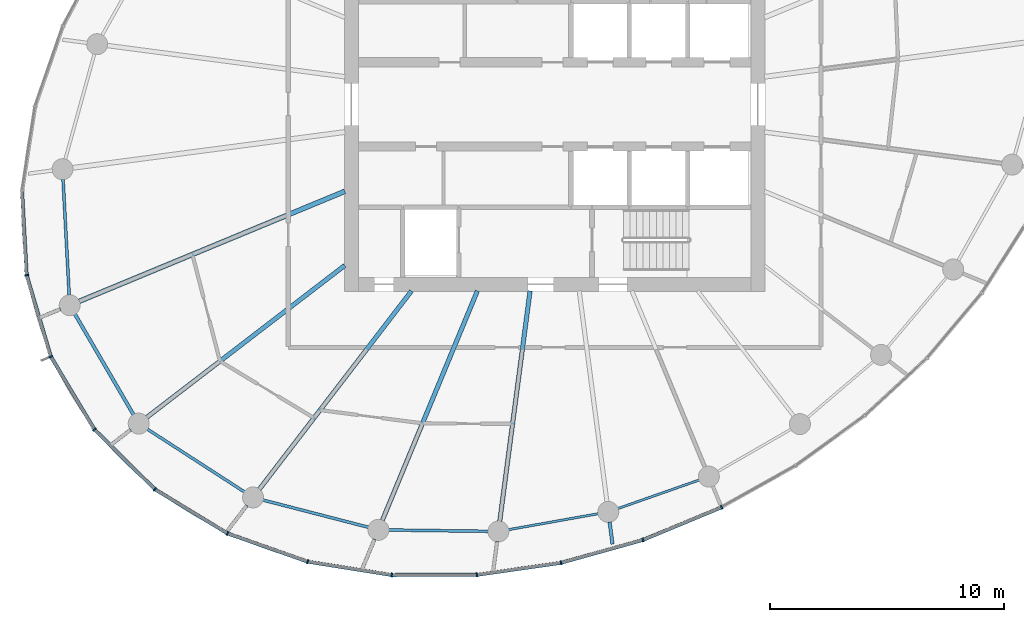
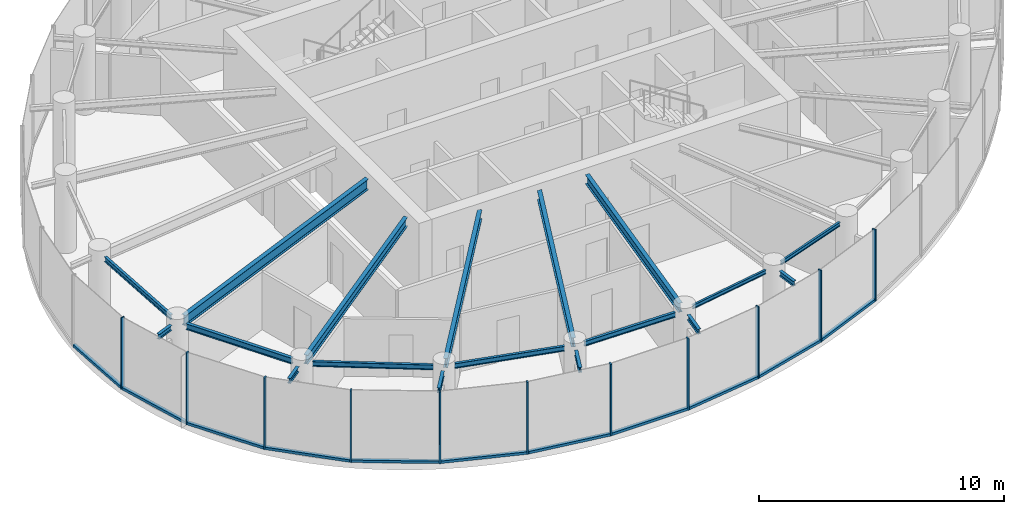
# One storey, part 2 of 14: 22 members, 18 beams, 3 elements without a shape of their own.
"""IFC4 building model written with IfcOpenShell, lengths in metres."""

from ifc_helpers import new_model, si_unit, direction, frame, origin, origin_2d, place, context, subcontext, project, spatial, rectangle, i_section, extrude, source, transform, mapped, material, layer, layer_set, material_profile, profile_set, type_object, element, aggregate, save


model = new_model("IFC4")

# Units and contexts
model_context = context("Model", 3, precision=1e-05, world=origin(), true_north=direction((0.0, 1.0)))
body_context = subcontext(model_context, "Body", "Model", "MODEL_VIEW")
ifc_project = project(units=[si_unit("LENGTHUNIT", "METRE"), si_unit("AREAUNIT", "SQUARE_METRE"), si_unit("VOLUMEUNIT", "CUBIC_METRE"), si_unit("PLANEANGLEUNIT", "RADIAN"), si_unit("MASSUNIT", "GRAM", prefix="KILO")], contexts=[model_context])

# Site, building, storey
site_placement = place(None, origin())
site = spatial("IfcSite", under=ifc_project, at=site_placement, CompositionType="ELEMENT")
building_placement = place(site_placement, origin())
building = spatial("IfcBuilding", under=site, at=building_placement, Name="Spindrift Exchange Tower", CompositionType="ELEMENT")
storey_placement = place(building_placement, frame((0.0, 0.0, 207.199951171875)))
storey = spatial("IfcBuildingStorey", under=building, at=storey_placement, Name="L50", CompositionType="ELEMENT", Elevation=207.199951171875)

# Beams
ifc_material_1 = material(Name="Steel Grade 300", Category="steel")
ifc_material_profile_1 = material_profile(ifc_material_1, i_section(OverallWidth=0.14599609375, OverallDepth=0.251953125, WebThickness=0.006103515625, FlangeThickness=0.008544921875, FilletRadius=0.011962890625, at=origin_2d()), Name="250UB31.4")
ifc_profile_set_1 = profile_set([ifc_material_profile_1], Name="Steel Grade 300")
beam_type_1 = type_object("IfcBeamType", Name="Cantilever Beam 250UB31.4 Steel Grade 300", PredefinedType="BEAM", material=ifc_profile_set_1)
shared_shape_1 = source(origin(), body_context, "Body", "SweptSolid", [
    extrude(i_section(OverallWidth=0.14599609375, OverallDepth=0.251953125, WebThickness=0.006103515625, FlangeThickness=0.008544921875, FilletRadius=0.011962890625, at=origin_2d()), origin(), (0.0, 0.0, 1.0), 0.95166015625),
])
beam_1_placement = place(storey_placement, frame((33.856689453125, 34.078125, 3.4541015625), z_axis=(-0.793300680677, -0.608830050209, 0.0), x_axis=(0.608830050209, -0.793300680677, 0.0)))
element("IfcBeam", 1, at=beam_1_placement, inside=storey, type_object=beam_type_1, Name="L50 cantilever beam R15T", PredefinedType="BEAM", context=body_context, shape_type="MappedRepresentation", body=[
    mapped(shared_shape_1, transform((0.0, 0.0, 0.0), scale=1.0)),
])
shared_shape_2 = source(origin(), body_context, "Body", "SweptSolid", [
    extrude(i_section(OverallWidth=0.14599609375, OverallDepth=0.251953125, WebThickness=0.006103515625, FlangeThickness=0.008544921875, FilletRadius=0.011962890625, at=origin_2d()), origin(), (0.0, 0.0, 1.0), 0.859619140625),
])
beam_2_placement = place(storey_placement, frame((30.849609375, 39.2392578125, 3.4541015625), z_axis=(-0.923923380362, -0.382577557131, 0.0), x_axis=(0.382577557131, -0.923923380362, 0.0)))
element("IfcBeam", 2, at=beam_2_placement, inside=storey, type_object=beam_type_1, Name="L50 cantilever beam R14T", PredefinedType="BEAM", context=body_context, shape_type="MappedRepresentation", body=[
    mapped(shared_shape_2, transform((0.0, 0.0, 0.0), scale=1.0)),
])
ifc_material_profile_2 = material_profile(ifc_material_1, i_section(OverallWidth=0.208984375, OverallDepth=0.528076171875, WebThickness=0.009521484375, FlangeThickness=0.01318359375, FilletRadius=0.013916015625, at=origin_2d()), Name="530UB82.0")
ifc_profile_set_2 = profile_set([ifc_material_profile_2], Name="Steel Grade 300")
beam_type_2 = type_object("IfcBeamType", Name="Floor Beam 530UB82.0 Steel Grade 300", PredefinedType="BEAM", material=ifc_profile_set_2)
shared_shape_3 = source(origin(), body_context, "Body", "SweptSolid", [
    extrude(i_section(OverallWidth=0.208984375, OverallDepth=0.528076171875, WebThickness=0.009521484375, FlangeThickness=0.01318359375, FilletRadius=0.013916015625, at=origin_2d()), origin(), (0.0, 0.0, 1.0), 12.3115234375),
])
beam_3_placement = place(storey_placement, frame((43.0185546875, 44.27978515625, 3.316162109375), z_axis=(-0.923878099838, -0.382686891126, 0.0), x_axis=(0.382686891126, -0.923878099838, 0.0)))
element("IfcBeam", 3, at=beam_3_placement, inside=storey, type_object=beam_type_2, Name="L50 radial beam R14A", PredefinedType="BEAM", context=body_context, shape_type="MappedRepresentation", body=[
    mapped(shared_shape_3, transform((0.0, 0.0, 0.0), scale=1.0)),
])
ifc_material_profile_3 = material_profile(ifc_material_1, i_section(OverallWidth=0.18994140625, OverallDepth=0.4541015625, WebThickness=0.008544921875, FlangeThickness=0.0126953125, FilletRadius=0.013916015625, at=origin_2d()), Name="460UB67.1")
ifc_profile_set_3 = profile_set([ifc_material_profile_3], Name="Steel Grade 300")
beam_type_3 = type_object("IfcBeamType", Name="Floor Beam 460UB67.1 Steel Grade 300", PredefinedType="BEAM", material=ifc_profile_set_3)
shared_shape_4 = source(origin(), body_context, "Body", "SweptSolid", [
    extrude(i_section(OverallWidth=0.18994140625, OverallDepth=0.4541015625, WebThickness=0.008544921875, FlangeThickness=0.0126953125, FilletRadius=0.013916015625, at=origin_2d()), origin(), (0.0, 0.0, 1.0), 10.684814453125),
])
beam_4_placement = place(storey_placement, frame((43.015869140625, 41.106201171875, 3.35302734375), z_axis=(-0.793357316898, -0.608756246559, 0.0), x_axis=(0.608756246559, -0.793357316898, 0.0)))
element("IfcBeam", 4, at=beam_4_placement, inside=storey, type_object=beam_type_3, Name="L50 radial beam R15A", PredefinedType="BEAM", context=body_context, shape_type="MappedRepresentation", body=[
    mapped(shared_shape_4, transform((0.0, 0.0, 0.0), scale=1.0)),
])
shared_shape_5 = source(origin(), body_context, "Body", "SweptSolid", [
    extrude(i_section(OverallWidth=0.18994140625, OverallDepth=0.4541015625, WebThickness=0.008544921875, FlangeThickness=0.0126953125, FilletRadius=0.013916015625, at=origin_2d()), origin(), (0.0, 0.0, 1.0), 10.711181640625),
])
beam_5_placement = place(storey_placement, frame((45.87353515625, 40.015869140625, 3.35302734375), z_axis=(-0.608756401092, -0.793357198322, 0.0), x_axis=(0.793357198322, -0.608756401092, 0.0)))
element("IfcBeam", 5, at=beam_5_placement, inside=storey, type_object=beam_type_3, Name="L50 radial beam R16A", PredefinedType="BEAM", context=body_context, shape_type="MappedRepresentation", body=[
    mapped(shared_shape_5, transform((0.0, 0.0, 0.0), scale=1.0)),
])
shared_shape_6 = source(origin(), body_context, "Body", "SweptSolid", [
    extrude(i_section(OverallWidth=0.18994140625, OverallDepth=0.4541015625, WebThickness=0.008544921875, FlangeThickness=0.0126953125, FilletRadius=0.013916015625, at=origin_2d()), origin(), (0.0, 0.0, 1.0), 10.64111328125),
])
beam_6_placement = place(storey_placement, frame((48.69384765625, 40.0185546875, 3.35302734375), z_axis=(-0.382672627597, -0.923884007919, 0.0), x_axis=(0.923884007919, -0.382672627597, 0.0)))
element("IfcBeam", 6, at=beam_6_placement, inside=storey, type_object=beam_type_3, Name="L50 radial beam R17A", PredefinedType="BEAM", context=body_context, shape_type="MappedRepresentation", body=[
    mapped(shared_shape_6, transform((0.0, 0.0, 0.0), scale=1.0)),
])
shared_shape_7 = source(origin(), body_context, "Body", "SweptSolid", [
    extrude(i_section(OverallWidth=0.18994140625, OverallDepth=0.4541015625, WebThickness=0.008544921875, FlangeThickness=0.0126953125, FilletRadius=0.013916015625, at=origin_2d()), origin(), (0.0, 0.0, 1.0), 9.95703125),
])
beam_7_placement = place(storey_placement, frame((50.949462890625, 40.019775390625, 3.35302734375), z_axis=(-0.130541406635, -0.991442858239, 0.0), x_axis=(0.991442858239, -0.130541406635, 0.0)))
element("IfcBeam", 7, at=beam_7_placement, inside=storey, type_object=beam_type_3, Name="L50 radial beam R18A", PredefinedType="BEAM", context=body_context, shape_type="MappedRepresentation", body=[
    mapped(shared_shape_7, transform((0.0, 0.0, 0.0), scale=1.0)),
])
ifc_material_profile_4 = material_profile(ifc_material_1, i_section(OverallWidth=0.1240234375, OverallDepth=0.248046875, WebThickness=0.0048828125, FlangeThickness=0.008056640625, FilletRadius=0.011962890625, at=origin_2d()), Name="250UB25.7")
ifc_profile_set_4 = profile_set([ifc_material_profile_4], Name="Steel Grade 300")
beam_type_4 = type_object("IfcBeamType", Name="Edge Beam 250UB25.7 Steel Grade 300", PredefinedType="SPANDREL", material=ifc_profile_set_4)
shared_shape_8 = source(origin(), body_context, "Body", "SweptSolid", [
    extrude(i_section(OverallWidth=0.1240234375, OverallDepth=0.248046875, WebThickness=0.0048828125, FlangeThickness=0.008056640625, FilletRadius=0.011962890625, at=origin_2d()), origin(), (0.0, 0.0, 1.0), 4.971435546875),
])
beam_8_placement = place(storey_placement, frame((30.96044921875, 44.797607421875, 3.4560546875), z_axis=(0.053038255124, -0.998592481192, 0.0), x_axis=(0.998592481192, 0.053038255124, 0.0)))
element("IfcBeam", 8, at=beam_8_placement, inside=storey, type_object=beam_type_4, Name="L50 edge beam E13", PredefinedType="SPANDREL", context=body_context, shape_type="MappedRepresentation", body=[
    mapped(shared_shape_8, transform((0.0, 0.0, 0.0), scale=1.0)),
])
ifc_material_profile_5 = material_profile(ifc_material_1, i_section(OverallWidth=0.14892578125, OverallDepth=0.298095703125, WebThickness=0.005615234375, FlangeThickness=0.008056640625, FilletRadius=0.012939453125, at=origin_2d()), Name="310UB32.0")
ifc_profile_set_5 = profile_set([ifc_material_profile_5], Name="Steel Grade 300")
beam_type_5 = type_object("IfcBeamType", Name="Edge Beam 310UB32.0 Steel Grade 300", PredefinedType="SPANDREL", material=ifc_profile_set_5)
shared_shape_9 = source(origin(), body_context, "Body", "SweptSolid", [
    extrude(i_section(OverallWidth=0.14892578125, OverallDepth=0.298095703125, WebThickness=0.005615234375, FlangeThickness=0.008056640625, FilletRadius=0.012939453125, at=origin_2d()), origin(), (0.0, 0.0, 1.0), 5.0009765625),
])
beam_9_placement = place(storey_placement, frame((31.46337890625, 39.0322265625, 3.43115234375), z_axis=(0.503512812094, -0.863987759205, 0.0), x_axis=(0.863987759205, 0.503512812094, 0.0)))
element("IfcBeam", 9, at=beam_9_placement, inside=storey, type_object=beam_type_5, Name="L50 edge beam E14", PredefinedType="SPANDREL", context=body_context, shape_type="MappedRepresentation", body=[
    mapped(shared_shape_9, transform((0.0, 0.0, 0.0), scale=1.0)),
])
shared_shape_10 = source(origin(), body_context, "Body", "SweptSolid", [
    extrude(i_section(OverallWidth=0.1240234375, OverallDepth=0.248046875, WebThickness=0.0048828125, FlangeThickness=0.008056640625, FilletRadius=0.011962890625, at=origin_2d()), origin(), (0.0, 0.0, 1.0), 4.966552734375),
])
beam_10_placement = place(storey_placement, frame((34.55908203125, 34.106689453125, 3.4560546875), z_axis=(0.839802198579, -0.54289250065, 0.0), x_axis=(0.54289250065, 0.839802198579, 0.0)))
element("IfcBeam", 10, at=beam_10_placement, inside=storey, type_object=beam_type_4, Name="L50 edge beam E15", PredefinedType="SPANDREL", context=body_context, shape_type="MappedRepresentation", body=[
    mapped(shared_shape_10, transform((0.0, 0.0, 0.0), scale=1.0)),
])
shared_shape_11 = source(origin(), body_context, "Body", "SweptSolid", [
    extrude(i_section(OverallWidth=0.1240234375, OverallDepth=0.248046875, WebThickness=0.0048828125, FlangeThickness=0.008056640625, FilletRadius=0.011962890625, at=origin_2d()), origin(), (0.0, 0.0, 1.0), 4.682373046875),
])
beam_11_placement = place(storey_placement, frame((39.507568359375, 31.0693359375, 3.4560546875), z_axis=(0.968201586176, -0.250171318352, 0.0), x_axis=(0.250171318352, 0.968201586176, 0.0)))
element("IfcBeam", 11, at=beam_11_placement, inside=storey, type_object=beam_type_4, Name="L50 edge beam E16", PredefinedType="SPANDREL", context=body_context, shape_type="MappedRepresentation", body=[
    mapped(shared_shape_11, transform((0.0, 0.0, 0.0), scale=1.0)),
])
shared_shape_12 = source(origin(), body_context, "Body", "SweptSolid", [
    extrude(i_section(OverallWidth=0.1240234375, OverallDepth=0.248046875, WebThickness=0.0048828125, FlangeThickness=0.008056640625, FilletRadius=0.011962890625, at=origin_2d()), origin(), (0.0, 0.0, 1.0), 4.27685546875),
])
beam_12_placement = place(storey_placement, frame((44.88720703125, 29.78466796875, 3.4560546875), z_axis=(0.999910013527, -0.013415097807, 0.0), x_axis=(0.013415097807, 0.999910013527, 0.0)))
element("IfcBeam", 12, at=beam_12_placement, inside=storey, type_object=beam_type_4, Name="L50 edge beam E17", PredefinedType="SPANDREL", context=body_context, shape_type="MappedRepresentation", body=[
    mapped(shared_shape_12, transform((0.0, 0.0, 0.0), scale=1.0)),
])
ifc_material_profile_6 = material_profile(ifc_material_1, i_section(OverallWidth=0.09912109375, OverallDepth=0.197998046875, WebThickness=0.00439453125, FlangeThickness=0.007080078125, FilletRadius=0.010986328125, at=origin_2d()), Name="200UB18.2")
ifc_profile_set_6 = profile_set([ifc_material_profile_6], Name="Steel Grade 300")
beam_type_6 = type_object("IfcBeamType", Name="Edge Beam 200UB18.2 Steel Grade 300", PredefinedType="SPANDREL", material=ifc_profile_set_6)
shared_shape_13 = source(origin(), body_context, "Body", "SweptSolid", [
    extrude(i_section(OverallWidth=0.09912109375, OverallDepth=0.197998046875, WebThickness=0.00439453125, FlangeThickness=0.007080078125, FilletRadius=0.010986328125, at=origin_2d()), origin(), (0.0, 0.0, 1.0), 3.916259765625),
])
beam_13_placement = place(storey_placement, frame((50.01708984375, 29.796875, 3.48095703125), z_axis=(0.984558687682, 0.175054821441, 0.0), x_axis=(-0.175054821441, 0.984558687682, 0.0)))
element("IfcBeam", 13, at=beam_13_placement, inside=storey, type_object=beam_type_6, Name="L50 edge beam E18", PredefinedType="SPANDREL", context=body_context, shape_type="MappedRepresentation", body=[
    mapped(shared_shape_13, transform((0.0, 0.0, 0.0), scale=1.0)),
])
shared_shape_14 = source(origin(), body_context, "Body", "SweptSolid", [
    extrude(i_section(OverallWidth=0.09912109375, OverallDepth=0.197998046875, WebThickness=0.00439453125, FlangeThickness=0.007080078125, FilletRadius=0.010986328125, at=origin_2d()), origin(), (0.0, 0.0, 1.0), 3.700439453125),
])
beam_14_placement = place(storey_placement, frame((54.701904296875, 30.699951171875, 3.48095703125), z_axis=(0.943515334916, 0.331328858957, 0.0), x_axis=(-0.331328858957, 0.943515334916, 0.0)))
element("IfcBeam", 14, at=beam_14_placement, inside=storey, type_object=beam_type_6, Name="L50 edge beam E19", PredefinedType="SPANDREL", context=body_context, shape_type="MappedRepresentation", body=[
    mapped(shared_shape_14, transform((0.0, 0.0, 0.0), scale=1.0)),
])
shared_shape_15 = source(origin(), body_context, "Body", "SweptSolid", [
    extrude(i_section(OverallWidth=0.14599609375, OverallDepth=0.251953125, WebThickness=0.006103515625, FlangeThickness=0.008544921875, FilletRadius=0.011962890625, at=origin_2d()), origin(), (0.0, 0.0, 1.0), 1.241455078125),
])
beam_15_placement = place(storey_placement, frame((38.829345703125, 30.835693359375, 3.4541015625), z_axis=(-0.608712274702, -0.793391055298, 0.0), x_axis=(0.793391055298, -0.608712274702, 0.0)))
element("IfcBeam", 15, at=beam_15_placement, inside=storey, type_object=beam_type_1, Name="L50 cantilever beam R16T", PredefinedType="BEAM", context=body_context, shape_type="MappedRepresentation", body=[
    mapped(shared_shape_15, transform((0.0, 0.0, 0.0), scale=1.0)),
])
shared_shape_16 = source(origin(), body_context, "Body", "SweptSolid", [
    extrude(i_section(OverallWidth=0.14599609375, OverallDepth=0.251953125, WebThickness=0.006103515625, FlangeThickness=0.008544921875, FilletRadius=0.011962890625, at=origin_2d()), origin(), (0.0, 0.0, 1.0), 1.282958984375),
])
beam_16_placement = place(storey_placement, frame((44.292724609375, 29.39306640625, 3.4541015625), z_axis=(-0.382682320503, -0.923879993059, 0.0), x_axis=(0.923879993059, -0.382682320503, 0.0)))
element("IfcBeam", 16, at=beam_16_placement, inside=storey, type_object=beam_type_1, Name="L50 cantilever beam R17T", PredefinedType="BEAM", context=body_context, shape_type="MappedRepresentation", body=[
    mapped(shared_shape_16, transform((0.0, 0.0, 0.0), scale=1.0)),
])
shared_shape_17 = source(origin(), body_context, "Body", "SweptSolid", [
    extrude(i_section(OverallWidth=0.14599609375, OverallDepth=0.251953125, WebThickness=0.006103515625, FlangeThickness=0.008544921875, FilletRadius=0.011962890625, at=origin_2d()), origin(), (0.0, 0.0, 1.0), 1.15380859375),
])
beam_17_placement = place(storey_placement, frame((49.53759765625, 29.29541015625, 3.4541015625), z_axis=(-0.130542080409, -0.991442769525, 0.0), x_axis=(0.991442769525, -0.130542080409, 0.0)))
element("IfcBeam", 17, at=beam_17_placement, inside=storey, type_object=beam_type_1, Name="L50 cantilever beam R18T", PredefinedType="BEAM", context=body_context, shape_type="MappedRepresentation", body=[
    mapped(shared_shape_17, transform((0.0, 0.0, 0.0), scale=1.0)),
])
shared_shape_18 = source(origin(), body_context, "Body", "SweptSolid", [
    extrude(i_section(OverallWidth=0.14599609375, OverallDepth=0.251953125, WebThickness=0.006103515625, FlangeThickness=0.008544921875, FilletRadius=0.011962890625, at=origin_2d()), origin(), (0.0, 0.0, 1.0), 0.9619140625),
])
beam_18_placement = place(storey_placement, frame((54.3525390625, 30.131103515625, 3.4541015625), z_axis=(0.130467644579, -0.991452567558, 0.0), x_axis=(0.991452567558, 0.130467644579, 0.0)))
element("IfcBeam", 18, at=beam_18_placement, inside=storey, type_object=beam_type_1, Name="L50 cantilever beam R19T", PredefinedType="BEAM", context=body_context, shape_type="MappedRepresentation", body=[
    mapped(shared_shape_18, transform((0.0, 0.0, 0.0), scale=1.0)),
])

# Curtain wall, members
ifc_material_2 = material(Name="Fritted laminated glass with bronze frame", Category="glass")
ifc_layer = layer(ifc_material_2, 0.169921875)
ifc_layer_set = layer_set([ifc_layer], Name="ZONE 4 BRONZE FRITTED WALL")
curtain_wall_type = type_object("IfcCurtainWallType", Name="ZONE 4 BRONZE FRITTED WALL", PredefinedType="NOTDEFINED", material=ifc_layer_set)
curtain_wall_1_placement = place(storey_placement, origin())
curtain_wall_1 = element("IfcCurtainWall", 19, at=curtain_wall_1_placement, inside=storey, type_object=curtain_wall_type, Name="L50 Zone 4 Bronze Fritted Wall run 5", PredefinedType="NOTDEFINED")
ifc_material_3 = material(Name="Bronze anodised aluminium", Category="aluminium")
ifc_material_profile_7 = material_profile(ifc_material_3, rectangle(XDim=0.14990234375, YDim=0.125, at=origin_2d()), Name="ZONE 4 BRONZE FRITTED WALL TRANSOM 150X125")
ifc_profile_set_7 = profile_set([ifc_material_profile_7], Name="Bronze anodised aluminium")
member_type_1 = type_object("IfcMemberType", Name="ZONE 4 BRONZE FRITTED WALL TRANSOM 150X125", PredefinedType="USERDEFINED", material=ifc_profile_set_7)
shared_shape_19 = source(origin(), body_context, "Body", "SweptSolid", [
    extrude(rectangle(XDim=0.14990234375, YDim=0.125, at=origin_2d()), origin(), (0.0, 0.0, 1.0), 3.57763671875),
])
member_1_placement = place(storey_placement, frame((52.305419921875, 28.3896484375, 0.0625), z_axis=(0.963250520047, 0.268604608353, 0.0), x_axis=(-0.268604608353, 0.963250520047, 0.0)))
member_1 = element("IfcMember", 20, at=member_1_placement, type_object=member_type_1, Name="L50 transom CW-4.26", ObjectType="TRANSOM", PredefinedType="USERDEFINED", context=body_context, shape_type="MappedRepresentation", body=[
    mapped(shared_shape_19, transform((0.0, 0.0, 0.0), scale=1.0)),
])
shared_shape_20 = source(origin(), body_context, "Body", "SweptSolid", [
    extrude(rectangle(XDim=0.14990234375, YDim=0.125, at=origin_2d()), origin(), (0.0, 0.0, 1.0), 3.577880859375),
])
member_2_placement = place(storey_placement, frame((55.812744140625, 29.371826171875, 0.0625), z_axis=(0.923598957507, 0.383360099244, 0.0), x_axis=(-0.383360099244, 0.923598957507, 0.0)))
member_2 = element("IfcMember", 21, at=member_2_placement, type_object=member_type_1, Name="L50 transom CW-4.27", ObjectType="TRANSOM", PredefinedType="USERDEFINED", context=body_context, shape_type="MappedRepresentation", body=[
    mapped(shared_shape_20, transform((0.0, 0.0, 0.0), scale=1.0)),
])
shared_shape_21 = source(origin(), body_context, "Body", "SweptSolid", [
    extrude(rectangle(XDim=0.14990234375, YDim=0.125, at=origin_2d()), origin(), (0.0, 0.0, 1.0), 3.5771484375),
])
member_3_placement = place(storey_placement, frame((48.701171875, 27.867431640625, 0.0625), z_axis=(0.989833135099, 0.14223348642, 0.0), x_axis=(-0.14223348642, 0.989833135099, 0.0)))
member_3 = element("IfcMember", 22, at=member_3_placement, type_object=member_type_1, Name="L50 transom CW-4.25", ObjectType="TRANSOM", PredefinedType="USERDEFINED", context=body_context, shape_type="MappedRepresentation", body=[
    mapped(shared_shape_21, transform((0.0, 0.0, 0.0), scale=1.0)),
])

# Curtain wall, member
curtain_wall_2_placement = place(storey_placement, origin())
curtain_wall_2 = element("IfcCurtainWall", 23, at=curtain_wall_2_placement, inside=storey, type_object=curtain_wall_type, Name="L50 Zone 4 Bronze Fritted Wall run 4", PredefinedType="NOTDEFINED")
shared_shape_22 = source(origin(), body_context, "Body", "SweptSolid", [
    extrude(rectangle(XDim=0.14990234375, YDim=0.125, at=origin_2d()), origin(), (0.0, 0.0, 1.0), 3.575439453125),
])
member_4_placement = place(storey_placement, frame((41.464111328125, 28.423828125, 0.0625), z_axis=(0.987634185942, -0.156776001861, 0.0), x_axis=(0.156776001861, 0.987634185942, 0.0)))
member_4 = element("IfcMember", 24, at=member_4_placement, type_object=member_type_1, Name="L50 transom CW-4.23", ObjectType="TRANSOM", PredefinedType="USERDEFINED", context=body_context, shape_type="MappedRepresentation", body=[
    mapped(shared_shape_22, transform((0.0, 0.0, 0.0), scale=1.0)),
])

curtain_wall_3_placement = place(storey_placement, origin())
curtain_wall_3 = element("IfcCurtainWall", 25, at=curtain_wall_3_placement, inside=storey, type_object=curtain_wall_type, Name="L50 Zone 4 Bronze Fritted Wall run 3", PredefinedType="NOTDEFINED")
shared_shape_23 = source(origin(), body_context, "Body", "SweptSolid", [
    extrude(rectangle(XDim=0.14990234375, YDim=0.125, at=origin_2d()), origin(), (0.0, 0.0, 1.0), 3.57080078125),
])
member_5_placement = place(storey_placement, frame((29.412841796875, 40.656982421875, 0.0625), z_axis=(0.28477500807, -0.958594384909, 0.0), x_axis=(0.958594384909, 0.28477500807, 0.0)))
member_5 = element("IfcMember", 26, at=member_5_placement, type_object=member_type_1, Name="L50 transom CW-4.18", ObjectType="TRANSOM", PredefinedType="USERDEFINED", context=body_context, shape_type="MappedRepresentation", body=[
    mapped(shared_shape_23, transform((0.0, 0.0, 0.0), scale=1.0)),
])

# Member
member_6_placement = place(storey_placement, frame((32.330078125, 34.061767578125, 0.0625), z_axis=(0.710789198596, -0.703405086106, 0.0), x_axis=(0.703405086106, 0.710789198596, 0.0)))
member_6 = element("IfcMember", 27, at=member_6_placement, type_object=member_type_1, Name="L50 transom CW-4.20", ObjectType="TRANSOM", PredefinedType="USERDEFINED", context=body_context, shape_type="MappedRepresentation", body=[
    mapped(shared_shape_23, transform((0.0, 0.0, 0.0), scale=1.0)),
])

shared_shape_24 = source(origin(), body_context, "Body", "SweptSolid", [
    extrude(rectangle(XDim=0.14990234375, YDim=0.125, at=origin_2d()), origin(), (0.0, 0.0, 1.0), 3.572509765625),
])
member_7_placement = place(storey_placement, frame((29.205810546875, 44.287841796875, 0.0625), z_axis=(0.054875780635, -0.99849318911, 0.0), x_axis=(0.99849318911, 0.054875780635, 0.0)))
member_7 = element("IfcMember", 28, at=member_7_placement, type_object=member_type_1, Name="L50 transom CW-4.17", ObjectType="TRANSOM", PredefinedType="USERDEFINED", context=body_context, shape_type="MappedRepresentation", body=[
    mapped(shared_shape_24, transform((0.0, 0.0, 0.0), scale=1.0)),
])

member_8_placement = place(storey_placement, frame((34.919189453125, 31.51025390625, 0.0625), z_axis=(0.854457105668, -0.519521948115, 0.0), x_axis=(0.519521948115, 0.854457105668, 0.0)))
member_8 = element("IfcMember", 29, at=member_8_placement, type_object=member_type_1, Name="L50 transom CW-4.21", ObjectType="TRANSOM", PredefinedType="USERDEFINED", context=body_context, shape_type="MappedRepresentation", body=[
    mapped(shared_shape_24, transform((0.0, 0.0, 0.0), scale=1.0)),
])

ifc_material_profile_8 = material_profile(ifc_material_3, rectangle(XDim=0.06494140625, YDim=0.169921875, at=origin_2d()), Name="ZONE 4 BRONZE FRITTED WALL MULLION 65X170")
ifc_profile_set_8 = profile_set([ifc_material_profile_8], Name="Bronze anodised aluminium")
member_type_2 = type_object("IfcMemberType", Name="ZONE 4 BRONZE FRITTED WALL MULLION 65X170", PredefinedType="MULLION", material=ifc_profile_set_8)
shared_shape_25 = source(origin(), body_context, "Body", "SweptSolid", [
    extrude(rectangle(XDim=0.06494140625, YDim=0.169921875, at=origin_2d()), origin(), (0.0, 0.0, 1.0), 3.580078125),
])
member_9_placement = place(storey_placement, frame((29.403564453125, 40.688232421875, 0.0), z_axis=(0.0, 0.0, 1.0), x_axis=(0.170995978216, -0.9852717267, 0.0)))
member_9 = element("IfcMember", 30, at=member_9_placement, type_object=member_type_2, Name="L50 mullion CW-4.18", PredefinedType="MULLION", context=body_context, shape_type="MappedRepresentation", body=[
    mapped(shared_shape_25, transform((0.0, 0.0, 0.0), scale=1.0)),
])

aggregate(curtain_wall_3, [member_7, member_9, member_5])

member_10_placement = place(storey_placement, frame((30.43896484375, 37.202880859375, 0.0), z_axis=(0.0, 0.0, 1.0), x_axis=(0.402495495669, -0.915421966071, 0.0)))
member_10 = element("IfcMember", 31, at=member_10_placement, type_object=member_type_2, Name="L50 mullion CW-4.19", PredefinedType="MULLION", context=body_context, shape_type="MappedRepresentation", body=[
    mapped(shared_shape_25, transform((0.0, 0.0, 0.0), scale=1.0)),
])

member_11_placement = place(storey_placement, frame((32.306884765625, 34.084716796875, 0.0), z_axis=(0.0, 0.0, 1.0), x_axis=(0.617189843807, -0.786814270779, 0.0)))
member_11 = element("IfcMember", 32, at=member_11_placement, type_object=member_type_2, Name="L50 mullion CW-4.20", PredefinedType="MULLION", context=body_context, shape_type="MappedRepresentation", body=[
    mapped(shared_shape_25, transform((0.0, 0.0, 0.0), scale=1.0)),
])

member_12_placement = place(storey_placement, frame((34.891357421875, 31.527099609375, 0.0), z_axis=(0.0, 0.0, 1.0), x_axis=(0.788013364272, -0.615658133812, 0.0)))
member_12 = element("IfcMember", 33, at=member_12_placement, type_object=member_type_2, Name="L50 mullion CW-4.21", PredefinedType="MULLION", context=body_context, shape_type="MappedRepresentation", body=[
    mapped(shared_shape_25, transform((0.0, 0.0, 0.0), scale=1.0)),
])

member_13_placement = place(storey_placement, frame((37.99951171875, 29.637451171875, 0.0), z_axis=(0.0, 0.0, 1.0), x_axis=(0.903723613375, -0.428116375101, 0.0)))
member_13 = element("IfcMember", 34, at=member_13_placement, type_object=member_type_2, Name="L50 mullion CW-4.22", PredefinedType="MULLION", context=body_context, shape_type="MappedRepresentation", body=[
    mapped(shared_shape_25, transform((0.0, 0.0, 0.0), scale=1.0)),
])

member_14_placement = place(storey_placement, frame((41.431884765625, 28.428955078125, 0.0), z_axis=(0.0, 0.0, 1.0), x_axis=(0.969414434352, -0.245429530556, 0.0)))
member_14 = element("IfcMember", 35, at=member_14_placement, type_object=member_type_2, Name="L50 mullion CW-4.23", PredefinedType="MULLION", context=body_context, shape_type="MappedRepresentation", body=[
    mapped(shared_shape_25, transform((0.0, 0.0, 0.0), scale=1.0)),
])

member_15_placement = place(storey_placement, frame((45.027587890625, 27.8583984375, 0.0), z_axis=(0.0, 0.0, 1.0), x_axis=(0.996953690657, -0.077995760693, 0.0)))
member_15 = element("IfcMember", 36, at=member_15_placement, type_object=member_type_2, Name="L50 mullion CW-4.24", PredefinedType="MULLION", context=body_context, shape_type="MappedRepresentation", body=[
    mapped(shared_shape_25, transform((0.0, 0.0, 0.0), scale=1.0)),
])

member_16_placement = place(storey_placement, frame((48.6689453125, 27.86279296875, 0.0), z_axis=(0.0, 0.0, 1.0), x_axis=(0.997411261514, 0.071908103895, 0.0)))
member_16 = element("IfcMember", 37, at=member_16_placement, type_object=member_type_2, Name="L50 mullion CW-4.25", PredefinedType="MULLION", context=body_context, shape_type="MappedRepresentation", body=[
    mapped(shared_shape_25, transform((0.0, 0.0, 0.0), scale=1.0)),
])

member_17_placement = place(storey_placement, frame((52.274169921875, 28.380859375, 0.0), z_axis=(0.0, 0.0, 1.0), x_axis=(0.978579211718, 0.20587065452, 0.0)))
member_17 = element("IfcMember", 38, at=member_17_placement, type_object=member_type_2, Name="L50 mullion CW-4.26", PredefinedType="MULLION", context=body_context, shape_type="MappedRepresentation", body=[
    mapped(shared_shape_25, transform((0.0, 0.0, 0.0), scale=1.0)),
])

member_18_placement = place(storey_placement, frame((55.78271484375, 29.359375, 0.0), z_axis=(0.0, 0.0, 1.0), x_axis=(0.945161323071, 0.326603847758, 0.0)))
member_18 = element("IfcMember", 39, at=member_18_placement, type_object=member_type_2, Name="L50 mullion CW-4.27", PredefinedType="MULLION", context=body_context, shape_type="MappedRepresentation", body=[
    mapped(shared_shape_25, transform((0.0, 0.0, 0.0), scale=1.0)),
])

member_19_placement = place(storey_placement, frame((59.147216796875, 30.755859375, 0.0), z_axis=(0.0, 0.0, 1.0), x_axis=(0.89956190958, 0.436793281579, 0.0)))
member_19 = element("IfcMember", 40, at=member_19_placement, type_object=member_type_2, Name="L50 mullion CW-4.28", PredefinedType="MULLION", context=body_context, shape_type="MappedRepresentation", body=[
    mapped(shared_shape_25, transform((0.0, 0.0, 0.0), scale=1.0)),
])

aggregate(curtain_wall_1, [member_16, member_3, member_17, member_1, member_18, member_2, member_19])

shared_shape_26 = source(origin(), body_context, "Body", "SweptSolid", [
    extrude(rectangle(XDim=0.14990234375, YDim=0.125, at=origin_2d()), origin(), (0.0, 0.0, 1.0), 3.57421875),
])
member_20_placement = place(storey_placement, frame((38.030029296875, 29.626708984375, 0.0625), z_axis=(0.943242270859, -0.332105432755, 0.0), x_axis=(0.332105432755, 0.943242270859, 0.0)))
member_20 = element("IfcMember", 41, at=member_20_placement, type_object=member_type_1, Name="L50 transom CW-4.22", ObjectType="TRANSOM", PredefinedType="USERDEFINED", context=body_context, shape_type="MappedRepresentation", body=[
    mapped(shared_shape_26, transform((0.0, 0.0, 0.0), scale=1.0)),
])

shared_shape_27 = source(origin(), body_context, "Body", "SweptSolid", [
    extrude(rectangle(XDim=0.14990234375, YDim=0.125, at=origin_2d()), origin(), (0.0, 0.0, 1.0), 3.576416015625),
])
member_21_placement = place(storey_placement, frame((45.06005859375, 27.8583984375, 0.0625), z_axis=(0.999999245084, 0.001228751888, 0.0), x_axis=(-0.001228751888, 0.999999245084, 0.0)))
member_21 = element("IfcMember", 42, at=member_21_placement, type_object=member_type_1, Name="L50 transom CW-4.24", ObjectType="TRANSOM", PredefinedType="USERDEFINED", context=body_context, shape_type="MappedRepresentation", body=[
    mapped(shared_shape_27, transform((0.0, 0.0, 0.0), scale=1.0)),
])

shared_shape_28 = source(origin(), body_context, "Body", "SweptSolid", [
    extrude(rectangle(XDim=0.14990234375, YDim=0.125, at=origin_2d()), origin(), (0.0, 0.0, 1.0), 3.56982421875),
])
member_22_placement = place(storey_placement, frame((30.455810546875, 37.175048828125, 0.0625), z_axis=(0.513872076119, -0.857866824971, 0.0), x_axis=(0.857866824971, 0.513872076119, 0.0)))
member_22 = element("IfcMember", 43, at=member_22_placement, type_object=member_type_1, Name="L50 transom CW-4.19", ObjectType="TRANSOM", PredefinedType="USERDEFINED", context=body_context, shape_type="MappedRepresentation", body=[
    mapped(shared_shape_28, transform((0.0, 0.0, 0.0), scale=1.0)),
])

aggregate(curtain_wall_2, [member_10, member_22, member_11, member_6, member_12, member_8, member_13, member_20, member_14, member_4, member_15, member_21])

save(model, "model.ifc")
